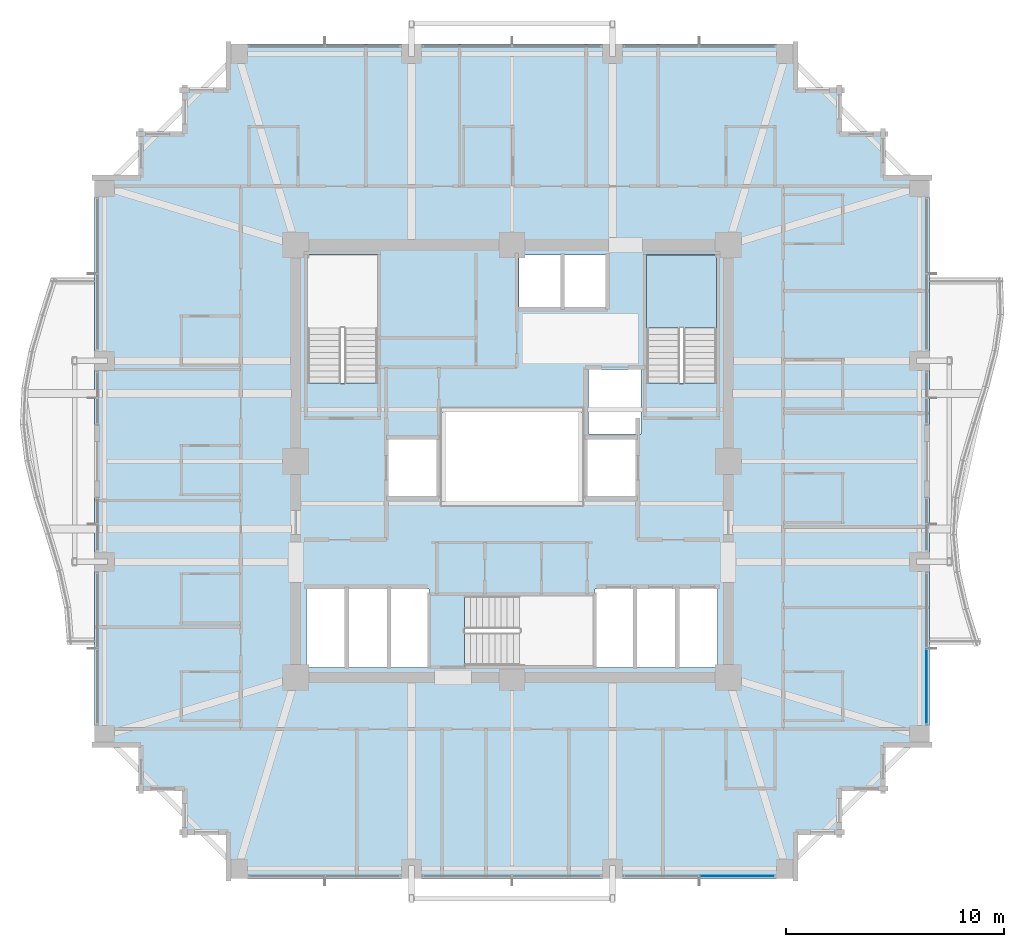
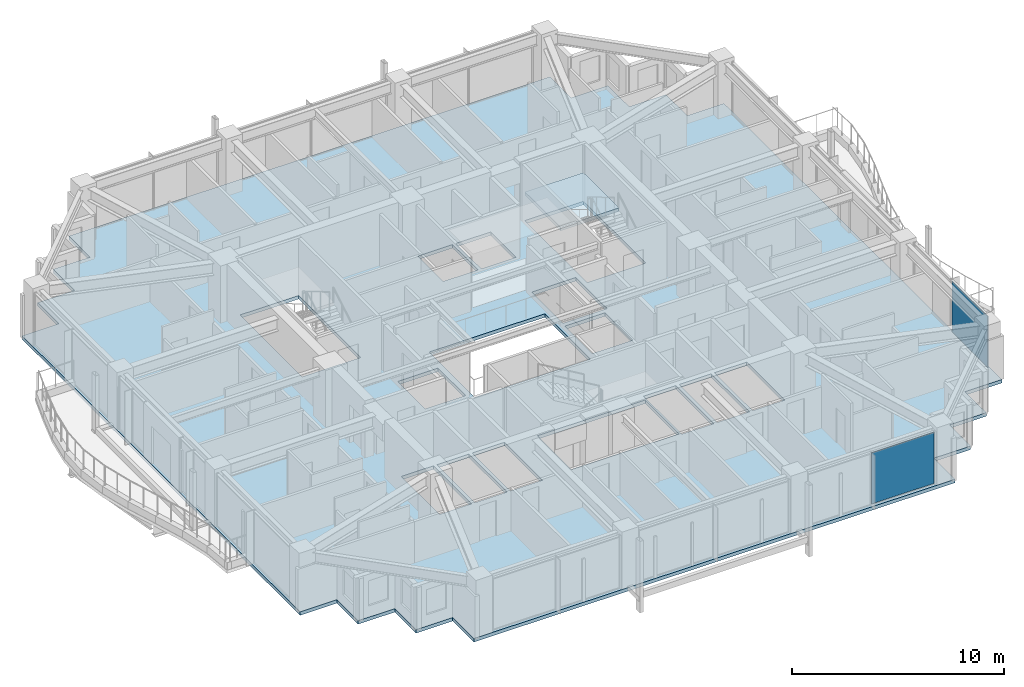
# One storey, part 27 of 37: 2 plates, 2 slabs, 3 elements without a shape of their own.
"""IFC4 building model written with IfcOpenShell, lengths in metres."""

from ifc_helpers import new_model, si_unit, direction, frame, origin, origin_2d, place, context, subcontext, project, spatial, polyline, rectangle, outline, extrude, material, layer, layer_set, type_object, element, aggregate, save


model = new_model("IFC4")

# Units and contexts
model_context = context("Model", 3, precision=1e-05, world=origin(), true_north=direction((0.0, 1.0)))
body_context = subcontext(model_context, "Body", "Model", "MODEL_VIEW")
ifc_project = project(units=[si_unit("LENGTHUNIT", "METRE"), si_unit("AREAUNIT", "SQUARE_METRE"), si_unit("VOLUMEUNIT", "CUBIC_METRE"), si_unit("PLANEANGLEUNIT", "RADIAN"), si_unit("MASSUNIT", "GRAM", prefix="KILO")], contexts=[model_context])

# Site, building, storey
site_placement = place(None, origin())
site = spatial("IfcSite", under=ifc_project, at=site_placement, CompositionType="ELEMENT")
building_placement = place(site_placement, origin())
building = spatial("IfcBuilding", under=site, at=building_placement, Name="Kolvaren Belvedere", CompositionType="ELEMENT")
storey_placement = place(building_placement, frame((0.0, 0.0, 156.89990234375)))
storey = spatial("IfcBuildingStorey", under=building, at=storey_placement, Name="L45", CompositionType="ELEMENT", Elevation=156.89990234375)

# Curtain wall, plate
ifc_material_1 = material(Name="Anodised pale-metal aluminium AA 6063-T6", Category="aluminium")
curtain_wall_type = type_object("IfcCurtainWallType", Name="CW-Z3-WAIST", PredefinedType="NOTDEFINED", material=ifc_material_1)
curtain_wall_1_placement = place(storey_placement, origin())
curtain_wall_1 = element("IfcCurtainWall", 1, at=curtain_wall_1_placement, inside=storey, type_object=curtain_wall_type, Name="L45 Unitised Curtain Wall FCW-L45-S-B1", PredefinedType="NOTDEFINED")
ifc_material_2 = material(Name="Low-iron triple insulated glass", Category="glass")
ifc_layer_1 = layer(ifc_material_2, 0.028076171875)
ifc_layer_set_1 = layer_set([ifc_layer_1], Name="Low-iron triple insulated glass")
plate_type = type_object("IfcPlateType", Name="CW-PNL-VIS28", PredefinedType="CURTAIN_PANEL", material=ifc_layer_set_1)
plate_1_placement = place(storey_placement, frame((10.311279296875, -18.97998046875, 0.080078125), z_axis=(0.0, 0.0, 1.0), x_axis=(-1.0, 0.0, 0.0)))
plate_1 = element("IfcPlate", 2, at=plate_1_placement, type_object=plate_type, Name="FCW-L45-S-B1 Vision Glazing Panel 1", PredefinedType="CURTAIN_PANEL", context=body_context, shape_type="SweptSolid", body=[
    extrude(rectangle(XDim=3.392578125, YDim=0.028076171875, at=origin_2d()), origin(), (0.0, 0.0, 1.0), 2.93994140625),
])
aggregate(curtain_wall_1, [plate_1])

curtain_wall_2_placement = place(storey_placement, origin())
curtain_wall_2 = element("IfcCurtainWall", 3, at=curtain_wall_2_placement, inside=storey, type_object=curtain_wall_type, Name="L45 Unitised Curtain Wall FCW-L45-E2-B2", PredefinedType="NOTDEFINED")
plate_2_placement = place(storey_placement, frame((18.97998046875, -10.311279296875, 0.080078125), z_axis=(0.0, 0.0, 1.0), x_axis=(0.0, -1.0, 0.0)))
plate_2 = element("IfcPlate", 4, at=plate_2_placement, type_object=plate_type, Name="FCW-L45-E2-B2 Vision Glazing Panel 2", PredefinedType="CURTAIN_PANEL", context=body_context, shape_type="SweptSolid", body=[
    extrude(rectangle(XDim=3.392578125, YDim=0.028076171875, at=origin_2d()), origin(), (0.0, 0.0, 1.0), 2.93994140625),
])
aggregate(curtain_wall_2, [plate_2])

# Slab
ifc_material_3 = material(Name="Concrete C50/60", Category="concrete")
ifc_layer_2 = layer(ifc_material_3, 0.199951171875)
ifc_layer_set_2 = layer_set([ifc_layer_2], Name="Concrete C50/60")
slab_type_1 = type_object("IfcSlabType", Name="SL-FLR-200", PredefinedType="FLOOR", material=ifc_layer_set_2)
slab_1_placement = place(storey_placement, frame((0.0, 0.0, -0.199951171875)))
element("IfcSlab", 5, at=slab_1_placement, inside=storey, type_object=slab_type_1, Name="L45 Primary Structural Slab", PredefinedType="FLOOR", context=body_context, shape_type="SweptSolid", body=[
    extrude(outline(polyline([(-13.10009765625, -19.10009765625), (13.10009765625, -19.10009765625), (13.10009765625, -17.10009765625), (15.10009765625, -17.10009765625), (15.10009765625, -15.10009765625), (17.10009765625, -15.10009765625), (17.10009765625, -13.10009765625), (19.10009765625, -13.10009765625), (19.10009765625, 13.10009765625), (17.10009765625, 13.10009765625), (17.10009765625, 15.10009765625), (15.10009765625, 15.10009765625), (15.10009765625, 17.10009765625), (13.10009765625, 17.10009765625), (13.10009765625, 19.10009765625), (-13.10009765625, 19.10009765625), (-13.10009765625, 17.10009765625), (-15.10009765625, 17.10009765625), (-15.10009765625, 15.10009765625), (-17.10009765625, 15.10009765625), (-17.10009765625, 13.10009765625), (-19.10009765625, 13.10009765625), (-19.10009765625, -13.10009765625), (-17.10009765625, -13.10009765625), (-17.10009765625, -15.10009765625), (-15.10009765625, -15.10009765625), (-15.10009765625, -17.10009765625), (-13.10009765625, -17.10009765625), (-13.10009765625, -19.10009765625)]), holes=[polyline([(-9.35009765625, 3.580078125), (-6.159912109375, 3.580078125), (-6.159912109375, 9.449951171875), (-9.35009765625, 9.449951171875), (-9.35009765625, 3.580078125)]), polyline([(6.159912109375, 3.580078125), (9.35009765625, 3.580078125), (9.35009765625, 9.449951171875), (6.159912109375, 9.449951171875), (6.159912109375, 3.580078125)]), polyline([(-2.169921875, -9.35009765625), (3.699951171875, -9.35009765625), (3.699951171875, -6.159912109375), (-2.169921875, -6.159912109375), (-2.169921875, -9.35009765625)]), polyline([(-5.64990234375, -1.60009765625), (-3.449951171875, -1.60009765625), (-3.449951171875, 1.0), (-5.64990234375, 1.0), (-5.64990234375, -1.60009765625)]), polyline([(3.5, 1.25), (5.89990234375, 1.25), (5.89990234375, 4.199951171875), (3.5, 4.199951171875), (3.5, 1.25)]), polyline([(3.449951171875, -1.60009765625), (5.64990234375, -1.60009765625), (5.64990234375, 1.0), (3.449951171875, 1.0), (3.449951171875, -1.60009765625)]), polyline([(-9.39990234375, -9.449951171875), (-7.64990234375, -9.449951171875), (-7.64990234375, -5.85009765625), (-9.39990234375, -5.85009765625), (-9.39990234375, -9.449951171875)]), polyline([(-7.469970703125, -9.449951171875), (-5.719970703125, -9.449951171875), (-5.719970703125, -5.85009765625), (-7.469970703125, -5.85009765625), (-7.469970703125, -9.449951171875)]), polyline([(-5.5400390625, -9.449951171875), (-3.7900390625, -9.449951171875), (-3.7900390625, -5.85009765625), (-5.5400390625, -5.85009765625), (-5.5400390625, -9.449951171875)]), polyline([(3.7900390625, -9.449951171875), (5.5400390625, -9.449951171875), (5.5400390625, -5.85009765625), (3.7900390625, -5.85009765625), (3.7900390625, -9.449951171875)]), polyline([(5.719970703125, -9.449951171875), (7.469970703125, -9.449951171875), (7.469970703125, -5.85009765625), (5.719970703125, -5.85009765625), (5.719970703125, -9.449951171875)]), polyline([(7.64990234375, -9.449951171875), (9.39990234375, -9.449951171875), (9.39990234375, -5.85009765625), (7.64990234375, -5.85009765625), (7.64990234375, -9.449951171875)]), polyline([(0.320068359375, 7.050048828125), (2.219970703125, 7.050048828125), (2.219970703125, 9.449951171875), (0.320068359375, 9.449951171875), (0.320068359375, 7.050048828125)]), polyline([(2.39990234375, 7.050048828125), (4.300048828125, 7.050048828125), (4.300048828125, 9.449951171875), (2.39990234375, 9.449951171875), (2.39990234375, 7.050048828125)]), polyline([(-3.14990234375, -1.949951171875), (3.14990234375, -1.949951171875), (3.14990234375, 2.35009765625), (-3.14990234375, 2.35009765625), (-3.14990234375, -1.949951171875)])]), origin(), (0.0, 0.0, 1.0), 0.199951171875),
])

# Stair, slab
ifc_material_4 = material(Name="Concrete C50/60", Category="concrete")
stair_type = type_object("IfcStairType", Name="ST-CORE-1520", PredefinedType="HALF_TURN_STAIR", material=ifc_material_4)
stair_placement = place(storey_placement, origin())
stair = element("IfcStair", 6, at=stair_placement, inside=storey, type_object=stair_type, Name="L45 Protected Exit Stair ST-2", PredefinedType="HALF_TURN_STAIR")
ifc_material_5 = material(Name="Concrete C50/60", Category="concrete")
ifc_layer_3 = layer(ifc_material_5, 0.260009765625)
ifc_layer_set_3 = layer_set([ifc_layer_3], Name="Concrete C50/60")
slab_type_2 = type_object("IfcSlabType", Name="SL-LAND-260", PredefinedType="LANDING", material=ifc_layer_set_3)
slab_2_placement = place(storey_placement, frame((0.0, 0.0, 1.4501953125)))
slab_2 = element("IfcSlab", 7, at=slab_2_placement, type_object=slab_type_2, Name="ST-2 landing 1", PredefinedType="LANDING", context=body_context, shape_type="SweptSolid", body=[
    extrude(outline(polyline([(9.35009765625, 6.090087890625), (9.35009765625, 9.449951171875), (6.159912109375, 9.449951171875), (6.159912109375, 6.090087890625), (9.35009765625, 6.090087890625)])), origin(), (0.0, 0.0, 1.0), 0.199951171875),
])
aggregate(stair, [slab_2])

save(model, "model.ifc")
